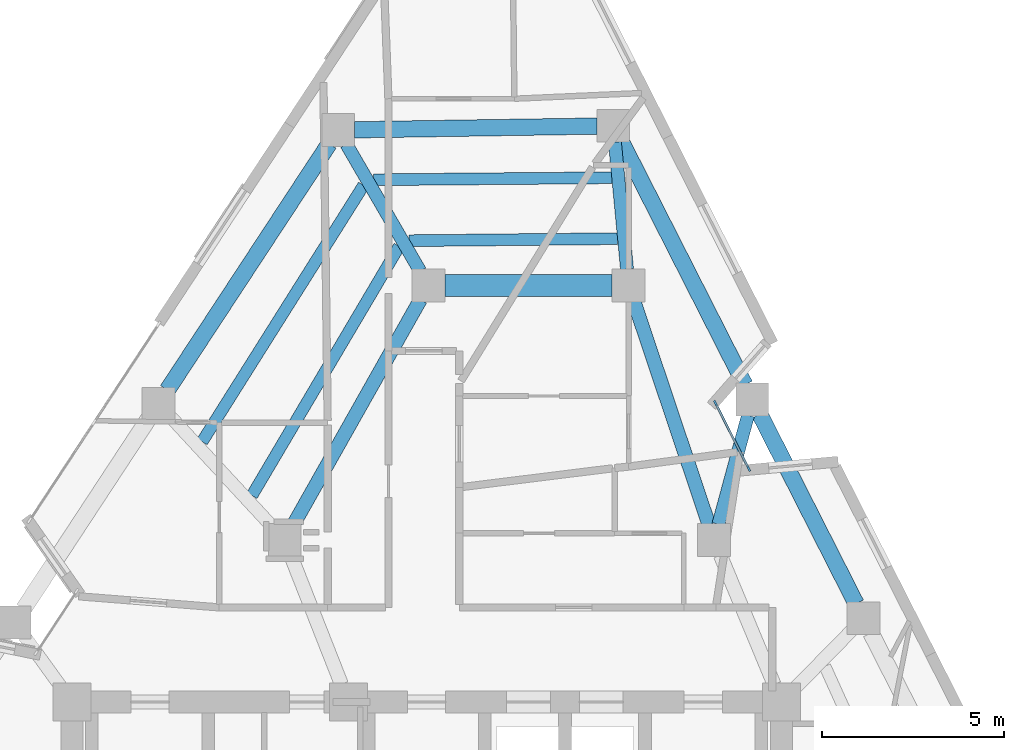
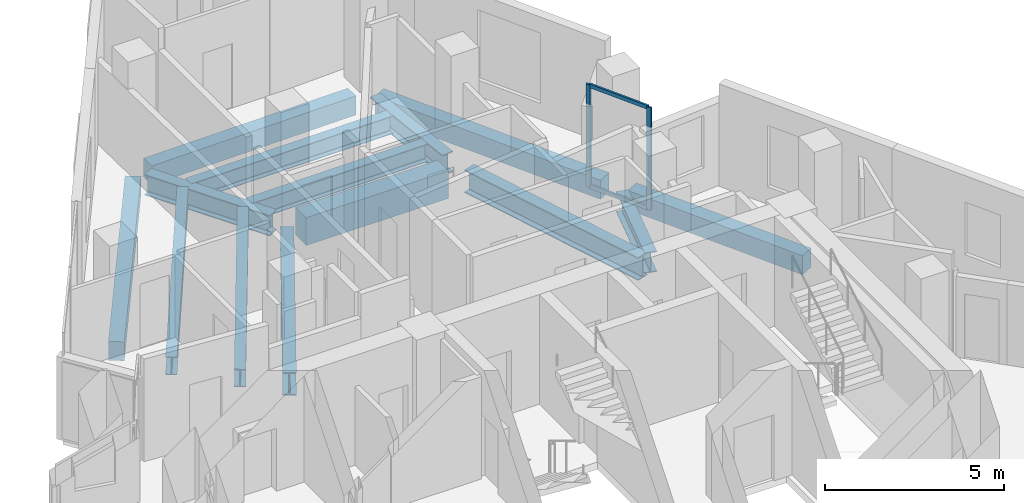
# One storey, part 3 of 9: 14 beams, 4 members, 1 element without a shape of its own.
"""IFC4 building model written with IfcOpenShell, lengths in metres."""

from ifc_helpers import new_model, si_unit, direction, frame, origin, origin_2d, place, context, subcontext, project, spatial, rectangle, i_section, extrude, material, layer, layer_set, material_profile, profile_set, type_object, element, aggregate, save


model = new_model("IFC4")

# Units and contexts
model_context = context("Model", 3, precision=1e-05, world=origin(), true_north=direction((0.0, 1.0)))
body_context = subcontext(model_context, "Body", "Model", "MODEL_VIEW")
ifc_project = project(units=[si_unit("LENGTHUNIT", "METRE"), si_unit("AREAUNIT", "SQUARE_METRE"), si_unit("VOLUMEUNIT", "CUBIC_METRE"), si_unit("PLANEANGLEUNIT", "RADIAN"), si_unit("MASSUNIT", "GRAM", prefix="KILO")], contexts=[model_context])

# Site, building, storey
site_placement = place(None, origin())
site = spatial("IfcSite", under=ifc_project, at=site_placement, CompositionType="ELEMENT")
building_placement = place(site_placement, origin())
building = spatial("IfcBuilding", under=site, at=building_placement, Name="Almagre Mirador Tower", CompositionType="ELEMENT")
storey_placement = place(building_placement, frame((0.0, 0.0, 244.5)))
storey = spatial("IfcBuildingStorey", under=building, at=storey_placement, Name="L63", CompositionType="ELEMENT", Elevation=244.5)

# Beams
ifc_material_1 = material(Name="Steel ASTM A992 Grade 50", Category="steel")
ifc_material_profile_1 = material_profile(ifc_material_1, i_section(OverallWidth=0.323974609375, OverallDepth=0.611083984375, WebThickness=0.0126953125, FlangeThickness=0.01904296875, FilletRadius=0.02001953125, at=origin_2d()), Name="W24X104")
ifc_profile_set_1 = profile_set([ifc_material_profile_1], Name="Steel ASTM A992 Grade 50")
beam_type_1 = type_object("IfcBeamType", Name="BM-JST-W24X104", PredefinedType="JOIST", material=ifc_profile_set_1)
beam_1_placement = place(storey_placement, frame((42.388916015625, 29.15869140625, -0.555419921875), z_axis=(-0.999965111065, -0.008353242024, 0.0), x_axis=(0.008353242024, -0.999965111065, 0.0)))
element("IfcBeam", 1, at=beam_1_placement, inside=storey, type_object=beam_type_1, Name="L63 secondary floor joist PC08-PC09.1", PredefinedType="JOIST", context=body_context, shape_type="SweptSolid", body=[
    extrude(i_section(OverallWidth=0.323974609375, OverallDepth=0.611083984375, WebThickness=0.0126953125, FlangeThickness=0.01904296875, FilletRadius=0.02001953125, at=origin_2d()), origin(), (0.0, 0.0, 1.0), 6.546875),
])
beam_2_placement = place(storey_placement, frame((42.548583984375, 27.483642578125, -0.555419921875), z_axis=(-0.999954093735, -0.009581775524, 0.0), x_axis=(0.009581775524, -0.999954093735, 0.0)))
element("IfcBeam", 2, at=beam_2_placement, inside=storey, type_object=beam_type_1, Name="L63 secondary floor joist PC08-PC09.3", PredefinedType="JOIST", context=body_context, shape_type="SweptSolid", body=[
    extrude(i_section(OverallWidth=0.323974609375, OverallDepth=0.611083984375, WebThickness=0.0126953125, FlangeThickness=0.01904296875, FilletRadius=0.02001953125, at=origin_2d()), origin(), (0.0, 0.0, 1.0), 5.73291015625),
])
beam_3_placement = place(storey_placement, frame((35.56787109375, 28.950927734375, -0.555419921875), z_axis=(-0.53290036914, -0.846177993433, 0.0), x_axis=(0.846177993433, -0.53290036914, 0.0)))
element("IfcBeam", 3, at=beam_3_placement, inside=storey, type_object=beam_type_1, Name="L63 secondary floor joist PC09-PC10.1", PredefinedType="JOIST", context=body_context, shape_type="SweptSolid", body=[
    extrude(i_section(OverallWidth=0.323974609375, OverallDepth=0.611083984375, WebThickness=0.0126953125, FlangeThickness=0.01904296875, FilletRadius=0.02001953125, at=origin_2d()), origin(), (0.0, 0.0, 1.0), 8.326171875),
])
beam_4_placement = place(storey_placement, frame((36.5458984375, 27.272705078125, -0.555419921875), z_axis=(-0.508805836919, -0.86088130443, 0.0), x_axis=(0.86088130443, -0.508805836919, 0.0)))
element("IfcBeam", 4, at=beam_4_placement, inside=storey, type_object=beam_type_1, Name="L63 secondary floor joist PC09-PC10.3", PredefinedType="JOIST", context=body_context, shape_type="SweptSolid", body=[
    extrude(i_section(OverallWidth=0.323974609375, OverallDepth=0.611083984375, WebThickness=0.0126953125, FlangeThickness=0.01904296875, FilletRadius=0.02001953125, at=origin_2d()), origin(), (0.0, 0.0, 1.0), 7.95361328125),
])
ifc_material_2 = material(Name="Concrete C60/75", Category="concrete")
ifc_material_profile_2 = material_profile(ifc_material_2, rectangle(XDim=0.60009765625, YDim=0.949951171875, at=origin_2d()), Name="RC600X950")
ifc_profile_set_2 = profile_set([ifc_material_profile_2], Name="Concrete C60/75")
beam_type_2 = type_object("IfcBeamType", Name="BM-LIN-RC600X950", PredefinedType="LINTEL", material=ifc_profile_set_2)
beam_5_placement = place(storey_placement, frame((37.800048828125, 26.199951171875, -0.72509765625), z_axis=(1.0, 0.0, 0.0), x_axis=(0.0, 1.0, 0.0)))
element("IfcBeam", 5, at=beam_5_placement, inside=storey, type_object=beam_type_2, Name="L63 coupled header lintel LN-01", PredefinedType="LINTEL", context=body_context, shape_type="SweptSolid", body=[
    extrude(rectangle(XDim=0.60009765625, YDim=0.949951171875, at=origin_2d()), origin(), (0.0, 0.0, 1.0), 4.599853515625),
])
ifc_material_3 = material(Name="Precast concrete C50/60", Category="concrete")
ifc_material_profile_3 = material_profile(ifc_material_3, rectangle(XDim=0.449951171875, YDim=0.64990234375, at=origin_2d()), Name="RC450X650")
ifc_profile_set_3 = profile_set([ifc_material_profile_3], Name="Precast concrete C50/60")
beam_type_3 = type_object("IfcBeamType", Name="BM-SPN-RC450X650", PredefinedType="SPANDREL", material=ifc_profile_set_3)
beam_6_placement = place(storey_placement, frame((49.104248046875, 17.4501953125, -0.574951171875), z_axis=(-0.452899170526, 0.891561742863, 0.0), x_axis=(-0.891561742863, -0.452899170526, 0.0)))
element("IfcBeam", 6, at=beam_6_placement, inside=storey, type_object=beam_type_3, Name="L63 perimeter spandrel beam PC06-PC07", PredefinedType="SPANDREL", context=body_context, shape_type="SweptSolid", body=[
    extrude(rectangle(XDim=0.449951171875, YDim=0.64990234375, at=origin_2d()), origin(), (0.0, 0.0, 1.0), 5.84765625),
])
beam_7_placement = place(storey_placement, frame((46.048095703125, 23.46630859375, -0.574951171875), z_axis=(-0.452894484788, 0.891564123128, 0.0), x_axis=(-0.891564123128, -0.452894484788, 0.0)))
element("IfcBeam", 7, at=beam_7_placement, inside=storey, type_object=beam_type_3, Name="L63 perimeter spandrel beam PC07-PC08", PredefinedType="SPANDREL", context=body_context, shape_type="SweptSolid", body=[
    extrude(rectangle(XDim=0.449951171875, YDim=0.64990234375, at=origin_2d()), origin(), (0.0, 0.0, 1.0), 7.534423828125),
])
beam_8_placement = place(storey_placement, frame((41.982177734375, 30.578125, -0.574951171875), z_axis=(-0.999882180075, -0.015350112976, 0.0), x_axis=(0.015350112976, -0.999882180075, 0.0)))
element("IfcBeam", 8, at=beam_8_placement, inside=storey, type_object=beam_type_3, Name="L63 perimeter spandrel beam PC08-PC09", PredefinedType="SPANDREL", context=body_context, shape_type="SweptSolid", body=[
    extrude(rectangle(XDim=0.449951171875, YDim=0.64990234375, at=origin_2d()), origin(), (0.0, 0.0, 1.0), 6.6640625),
])
beam_9_placement = place(storey_placement, frame((34.621826171875, 30.093017578125, -0.574951171875), z_axis=(-0.54903769876, -0.835797586345, 0.0), x_axis=(0.835797586345, -0.54903769876, 0.0)))
element("IfcBeam", 9, at=beam_9_placement, inside=storey, type_object=beam_type_3, Name="L63 perimeter spandrel beam PC09-PC10", PredefinedType="SPANDREL", context=body_context, shape_type="SweptSolid", body=[
    extrude(rectangle(XDim=0.449951171875, YDim=0.64990234375, at=origin_2d()), origin(), (0.0, 0.0, 1.0), 8.097412109375),
])
ifc_material_4 = material(Name="Steel ASTM A992 Grade 50", Category="steel")
ifc_material_profile_4 = material_profile(ifc_material_4, i_section(OverallWidth=0.35791015625, OverallDepth=0.7060546875, WebThickness=0.018310546875, FlangeThickness=0.0302734375, FilletRadius=0.02197265625, at=origin_2d()), Name="W27X178")
ifc_profile_set_4 = profile_set([ifc_material_profile_4], Name="Steel ASTM A992 Grade 50")
beam_type_4 = type_object("IfcBeamType", Name="BM-STL-W27X178", PredefinedType="BEAM", material=ifc_profile_set_4)
beam_10_placement = place(storey_placement, frame((46.1337890625, 22.630859375, -0.60302734375), z_axis=(-0.26264509324, -0.964892509556, 0.0), x_axis=(0.964892509556, -0.26264509324, 0.0)))
element("IfcBeam", 10, at=beam_10_placement, inside=storey, type_object=beam_type_4, Name="L63 radial floor girder PC07-MC5", PredefinedType="BEAM", context=body_context, shape_type="SweptSolid", body=[
    extrude(i_section(OverallWidth=0.35791015625, OverallDepth=0.7060546875, WebThickness=0.018310546875, FlangeThickness=0.0302734375, FilletRadius=0.02197265625, at=origin_2d()), origin(), (0.0, 0.0, 1.0), 3.105712890625),
])
beam_11_placement = place(storey_placement, frame((42.474609375, 30.136962890625, -0.60302734375), z_axis=(0.094943868269, -0.995482627612, 0.0), x_axis=(0.995482627612, 0.094943868269, 0.0)))
element("IfcBeam", 11, at=beam_11_placement, inside=storey, type_object=beam_type_4, Name="L63 radial floor girder PC08-MC6", PredefinedType="BEAM", context=body_context, shape_type="SweptSolid", body=[
    extrude(i_section(OverallWidth=0.35791015625, OverallDepth=0.7060546875, WebThickness=0.018310546875, FlangeThickness=0.0302734375, FilletRadius=0.02197265625, at=origin_2d()), origin(), (0.0, 0.0, 1.0), 3.5048828125),
])
beam_12_placement = place(storey_placement, frame((35.09521484375, 30.079833984375, -0.60302734375), z_axis=(0.502449130804, -0.864606772443, 0.0), x_axis=(0.864606772443, 0.502449130804, 0.0)))
element("IfcBeam", 12, at=beam_12_placement, inside=storey, type_object=beam_type_4, Name="L63 radial floor girder PC09-MC7", PredefinedType="BEAM", context=body_context, shape_type="SweptSolid", body=[
    extrude(i_section(OverallWidth=0.35791015625, OverallDepth=0.7060546875, WebThickness=0.018310546875, FlangeThickness=0.0302734375, FilletRadius=0.02197265625, at=origin_2d()), origin(), (0.0, 0.0, 1.0), 4.037353515625),
])
ifc_material_5 = material(Name="Steel ASTM A992 Grade 50", Category="steel")
ifc_material_profile_5 = material_profile(ifc_material_5, i_section(OverallWidth=0.384033203125, OverallDepth=0.784912109375, WebThickness=0.019775390625, FlangeThickness=0.033447265625, FilletRadius=0.02392578125, at=origin_2d()), Name="W30X211")
ifc_profile_set_5 = profile_set([ifc_material_profile_5], Name="Steel ASTM A992 Grade 50")
beam_type_5 = type_object("IfcBeamType", Name="BM-STL-W30X211", PredefinedType="BEAM", material=ifc_profile_set_5)
beam_13_placement = place(storey_placement, frame((42.9931640625, 25.7734375, -0.642578125), z_axis=(0.318282890726, -0.947995781357, 0.0), x_axis=(0.947995781357, 0.318282890726, 0.0)))
element("IfcBeam", 13, at=beam_13_placement, inside=storey, type_object=beam_type_5, Name="L63 core tie girder MC6-MC5", PredefinedType="BEAM", context=body_context, shape_type="SweptSolid", body=[
    extrude(i_section(OverallWidth=0.384033203125, OverallDepth=0.784912109375, WebThickness=0.019775390625, FlangeThickness=0.033447265625, FilletRadius=0.02392578125, at=origin_2d()), origin(), (0.0, 0.0, 1.0), 6.48388671875),
])
beam_14_placement = place(storey_placement, frame((37.12890625, 25.80810546875, -0.642578125), z_axis=(-0.491446261843, -0.870907900825, 0.0), x_axis=(0.870907900825, -0.491446261843, 0.0)))
element("IfcBeam", 14, at=beam_14_placement, inside=storey, type_object=beam_type_5, Name="L63 core tie girder MC7-MC8", PredefinedType="BEAM", context=body_context, shape_type="SweptSolid", body=[
    extrude(i_section(OverallWidth=0.384033203125, OverallDepth=0.784912109375, WebThickness=0.019775390625, FlangeThickness=0.033447265625, FilletRadius=0.02392578125, at=origin_2d()), origin(), (0.0, 0.0, 1.0), 7.1376953125),
])

# Curtain wall, members
ifc_material_6 = material(Name="Black anodized aluminium", Category="aluminium")
ifc_layer = layer(ifc_material_6, 0.169921875)
ifc_layer_set = layer_set([ifc_layer], Name="Black anodized aluminium")
curtain_wall_type = type_object("IfcCurtainWallType", Name="CW-CRS-SYS", PredefinedType="NOTDEFINED", material=ifc_layer_set)
curtain_wall_placement = place(storey_placement, origin())
curtain_wall = element("IfcCurtainWall", 15, at=curtain_wall_placement, inside=storey, type_object=curtain_wall_type, Name="L63 vertical crease curtain wall 03", PredefinedType="NOTDEFINED")
ifc_material_7 = material(Name="Black anodized aluminium", Category="aluminium")
ifc_material_profile_6 = material_profile(ifc_material_7, rectangle(XDim=0.06005859375, YDim=0.14990234375, at=origin_2d()), Name="CWM60X150")
ifc_profile_set_6 = profile_set([ifc_material_profile_6], Name="Black anodized aluminium")
member_type_1 = type_object("IfcMemberType", Name="MBR-CWM60X150", PredefinedType="MULLION", material=ifc_profile_set_6)
member_1_placement = place(storey_placement, frame((45.235595703125, 22.96826171875, 0.0), z_axis=(0.0, 0.0, 1.0), x_axis=(0.891634073626, 0.452756754504, 0.0)))
member_1 = element("IfcMember", 16, at=member_1_placement, type_object=member_type_1, Name="CW-4 mullion 1", PredefinedType="MULLION", context=body_context, shape_type="SweptSolid", body=[
    extrude(rectangle(XDim=0.06005859375, YDim=0.14990234375, at=origin_2d()), origin(), (0.0, 0.0, 1.0), 3.5),
])
member_2_placement = place(storey_placement, frame((46.154296875, 21.15869140625, 0.0), z_axis=(0.0, 0.0, 1.0), x_axis=(0.891634073626, 0.452756754504, 0.0)))
member_2 = element("IfcMember", 17, at=member_2_placement, type_object=member_type_1, Name="CW-4 mullion 2", PredefinedType="MULLION", context=body_context, shape_type="SweptSolid", body=[
    extrude(rectangle(XDim=0.06005859375, YDim=0.14990234375, at=origin_2d()), origin(), (0.0, 0.0, 1.0), 3.5),
])
ifc_material_8 = material(Name="Black anodized aluminium", Category="aluminium")
ifc_material_profile_7 = material_profile(ifc_material_8, rectangle(XDim=0.06005859375, YDim=0.1298828125, at=origin_2d()), Name="CWT60X130")
ifc_profile_set_7 = profile_set([ifc_material_profile_7], Name="Black anodized aluminium")
member_type_2 = type_object("IfcMemberType", Name="MBR-CWT60X130", PredefinedType="USERDEFINED", material=ifc_profile_set_7)
member_3_placement = place(storey_placement, frame((45.249267578125, 22.94140625, 0.030029296875), z_axis=(0.452759082327, -0.891632891593, 0.0), x_axis=(0.891632891593, 0.452759082327, 0.0)))
member_3 = element("IfcMember", 18, at=member_3_placement, type_object=member_type_2, Name="CW-4 transom 1.1", ObjectType="TRANSOM", PredefinedType="USERDEFINED", context=body_context, shape_type="SweptSolid", body=[
    extrude(rectangle(XDim=0.06005859375, YDim=0.1298828125, at=origin_2d()), origin(), (0.0, 0.0, 1.0), 1.96923828125),
])
member_4_placement = place(storey_placement, frame((45.249267578125, 22.94140625, 3.469970703125), z_axis=(0.452759082327, -0.891632891593, 0.0), x_axis=(0.891632891593, 0.452759082327, 0.0)))
member_4 = element("IfcMember", 19, at=member_4_placement, type_object=member_type_2, Name="CW-4 transom 1.2", ObjectType="TRANSOM", PredefinedType="USERDEFINED", context=body_context, shape_type="SweptSolid", body=[
    extrude(rectangle(XDim=0.06005859375, YDim=0.1298828125, at=origin_2d()), origin(), (0.0, 0.0, 1.0), 1.96923828125),
])
aggregate(curtain_wall, [member_1, member_2, member_3, member_4])

save(model, "model.ifc")
